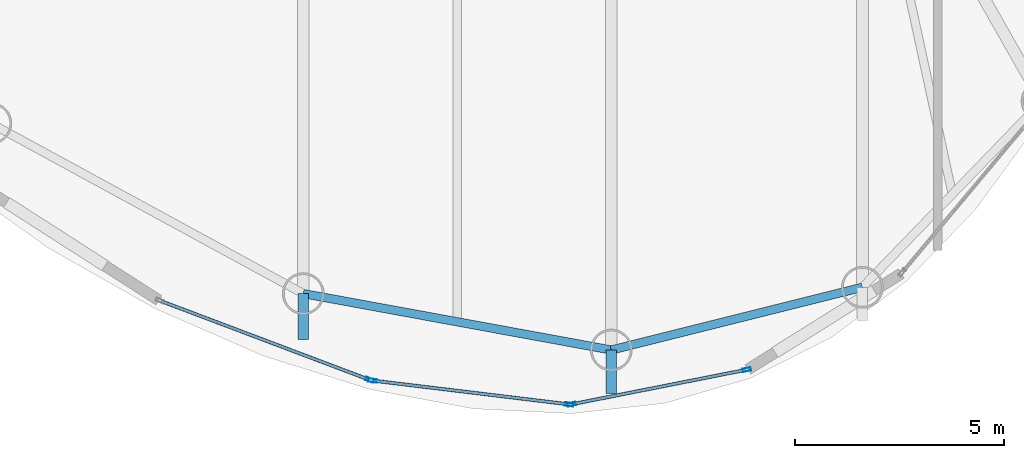
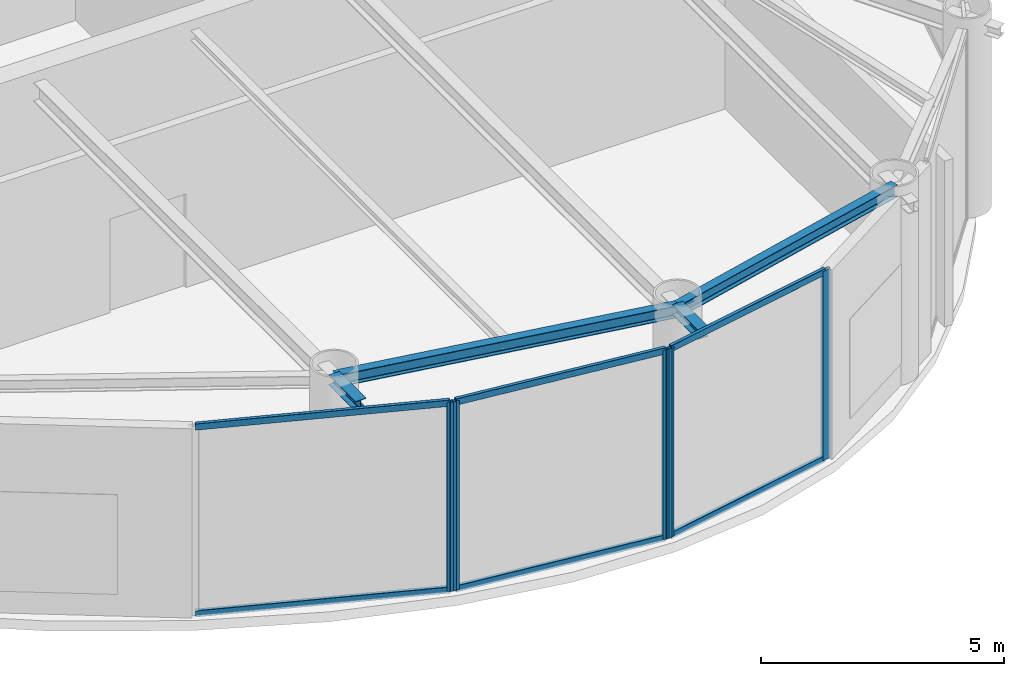
# One storey, part 5 of 23: 11 members, 4 beams, 3 elements without a shape of their own.
"""IFC4 building model written with IfcOpenShell, lengths in metres."""

from ifc_helpers import new_model, si_unit, direction, frame, origin, origin_2d, place, context, subcontext, project, spatial, hollow_rectangle, i_section, extrude, material, layer, layer_set, material_profile, profile_set, type_object, element, aggregate, save


model = new_model("IFC4")

# Units and contexts
model_context = context("Model", 3, precision=1e-05, world=origin(), true_north=direction((0.0, 1.0)))
body_context = subcontext(model_context, "Body", "Model", "MODEL_VIEW")
ifc_project = project(units=[si_unit("LENGTHUNIT", "METRE"), si_unit("AREAUNIT", "SQUARE_METRE"), si_unit("VOLUMEUNIT", "CUBIC_METRE"), si_unit("PLANEANGLEUNIT", "RADIAN"), si_unit("MASSUNIT", "GRAM", prefix="KILO")], contexts=[model_context])

# Site, building, storey
site_placement = place(None, origin())
site = spatial("IfcSite", under=ifc_project, at=site_placement, CompositionType="ELEMENT")
building_placement = place(site_placement, origin())
building = spatial("IfcBuilding", under=site, at=building_placement, Name="Bramvorn Convention Spire", CompositionType="ELEMENT")
storey_placement = place(building_placement, frame((0.0, 0.0, 307.5)))
storey = spatial("IfcBuildingStorey", under=building, at=storey_placement, Name="L78", CompositionType="ELEMENT", Elevation=307.5)

# Beams
ifc_material_1 = material(Name="Steel CSA G40.21 Grade 350 (350W)", Category="steel")
ifc_material_profile_1 = material_profile(ifc_material_1, i_section(OverallWidth=0.25390625, OverallDepth=0.2529296875, WebThickness=0.008544921875, FlangeThickness=0.01416015625, FilletRadius=0.011962890625, at=origin_2d()))
ifc_profile_set_1 = profile_set([ifc_material_profile_1], Name="Steel CSA G40.21 Grade 350 (350W) - W250X73")
beam_type_1 = type_object("IfcBeamType", Name="BM-W250X73", PredefinedType="BEAM", material=ifc_profile_set_1)
beam_1_placement = place(storey_placement, frame((35.8154296875, 6.44921875, 4.62353515625), z_axis=(0.0, -1.0, 0.0), x_axis=(1.0, 0.0, 0.0)))
element("IfcBeam", 1, at=beam_1_placement, inside=storey, type_object=beam_type_1, Name="L78 slab-edge cantilever tip beam MC15", PredefinedType="BEAM", context=body_context, shape_type="SweptSolid", body=[
    extrude(i_section(OverallWidth=0.25390625, OverallDepth=0.2529296875, WebThickness=0.008544921875, FlangeThickness=0.01416015625, FilletRadius=0.011962890625, at=origin_2d()), origin(), (0.0, 0.0, 1.0), 1.102294921875),
])
beam_2_placement = place(storey_placement, frame((43.1884765625, 5.09912109375, 4.62353515625), z_axis=(0.0, -1.0, 0.0), x_axis=(1.0, 0.0, 0.0)))
element("IfcBeam", 2, at=beam_2_placement, inside=storey, type_object=beam_type_1, Name="L78 slab-edge cantilever tip beam MC16", PredefinedType="BEAM", context=body_context, shape_type="SweptSolid", body=[
    extrude(i_section(OverallWidth=0.25390625, OverallDepth=0.2529296875, WebThickness=0.008544921875, FlangeThickness=0.01416015625, FilletRadius=0.011962890625, at=origin_2d()), origin(), (0.0, 0.0, 1.0), 1.04345703125),
])
ifc_material_profile_2 = material_profile(ifc_material_1, i_section(OverallWidth=0.202880859375, OverallDepth=0.302978515625, WebThickness=0.007568359375, FlangeThickness=0.01318359375, FilletRadius=0.013916015625, at=origin_2d()))
ifc_profile_set_2 = profile_set([ifc_material_profile_2], Name="Steel CSA G40.21 Grade 350 (350W) - W310X60")
beam_type_2 = type_object("IfcBeamType", Name="BM-W310X60", PredefinedType="JOIST", material=ifc_profile_set_2)
beam_3_placement = place(storey_placement, frame((35.8154296875, 6.44921875, 4.598388671875), z_axis=(0.983645049461, -0.180117785547, 0.0), x_axis=(0.180117785547, 0.983645049461, 0.0)))
element("IfcBeam", 3, at=beam_3_placement, inside=storey, type_object=beam_type_2, Name="L78 mega-column ring beam 15", PredefinedType="JOIST", context=body_context, shape_type="SweptSolid", body=[
    extrude(i_section(OverallWidth=0.202880859375, OverallDepth=0.302978515625, WebThickness=0.007568359375, FlangeThickness=0.01318359375, FilletRadius=0.013916015625, at=origin_2d()), origin(), (0.0, 0.0, 1.0), 7.49560546875),
])
beam_4_placement = place(storey_placement, frame((43.1884765625, 5.09912109375, 4.598388671875), z_axis=(0.970177255997, 0.24239655927, 0.0), x_axis=(-0.24239655927, 0.970177255997, 0.0)))
element("IfcBeam", 4, at=beam_4_placement, inside=storey, type_object=beam_type_2, Name="L78 mega-column ring beam 16", PredefinedType="JOIST", context=body_context, shape_type="SweptSolid", body=[
    extrude(i_section(OverallWidth=0.202880859375, OverallDepth=0.302978515625, WebThickness=0.007568359375, FlangeThickness=0.01318359375, FilletRadius=0.013916015625, at=origin_2d()), origin(), (0.0, 0.0, 1.0), 6.1962890625),
])

# Curtain wall, member
ifc_material_2 = material(Name="Anodised Bronze Unitised Curtain Wall", Category="aluminium")
ifc_layer = layer(ifc_material_2, 0.199951171875)
ifc_layer_set = layer_set([ifc_layer], Name="Anodised Bronze Unitised Curtain Wall - CW-PLANT-LOUVRE")
curtain_wall_type = type_object("IfcCurtainWallType", Name="CW-PLANT-LOUVRE", PredefinedType="USERDEFINED", material=ifc_layer_set)
curtain_wall_1_placement = place(storey_placement, origin())
curtain_wall_1 = element("IfcCurtainWall", 5, at=curtain_wall_1_placement, inside=storey, type_object=curtain_wall_type, Name="L78 fritted glass curtain wall 22", ObjectType="UNITISED CURTAIN WALL", PredefinedType="USERDEFINED")
ifc_material_3 = material(Name="Anodised Bronze Aluminium 6063-T6", Category="aluminium")
ifc_material_profile_3 = material_profile(ifc_material_3, hollow_rectangle(XDim=0.080078125, YDim=0.199951171875, WallThickness=0.00390625, InnerFilletRadius=0.0009765625, OuterFilletRadius=0.00390625, at=origin_2d()))
ifc_profile_set_3 = profile_set([ifc_material_profile_3], Name="Anodised Bronze Aluminium 6063-T6 - CWM80X200")
member_type_1 = type_object("IfcMemberType", Name="CW-MUL-180", PredefinedType="MULLION", material=ifc_profile_set_3)
member_1_placement = place(storey_placement, frame((37.40771484375, 4.3828125, 0.0), z_axis=(0.0, 0.0, 1.0), x_axis=(-0.353264772427, -0.935523383226, 0.0)))
member_1 = element("IfcMember", 6, at=member_1_placement, type_object=member_type_1, Name="CW5 mullion 1", PredefinedType="MULLION", context=body_context, shape_type="SweptSolid", body=[
    extrude(hollow_rectangle(XDim=0.080078125, YDim=0.199951171875, WallThickness=0.00390625, InnerFilletRadius=0.0009765625, OuterFilletRadius=0.00390625, at=origin_2d()), origin(), (0.0, 0.0, 1.0), 4.75),
])

# Curtain wall, members
curtain_wall_2_placement = place(storey_placement, origin())
curtain_wall_2 = element("IfcCurtainWall", 7, at=curtain_wall_2_placement, inside=storey, type_object=curtain_wall_type, Name="L78 fritted glass curtain wall 23", ObjectType="UNITISED CURTAIN WALL", PredefinedType="USERDEFINED")
member_2_placement = place(storey_placement, frame((42.181640625, 3.797607421875, 0.0), z_axis=(0.0, 0.0, 1.0), x_axis=(-0.120193547798, -0.992750477747, 0.0)))
member_2 = element("IfcMember", 8, at=member_2_placement, type_object=member_type_1, Name="CW5 mullion 1", PredefinedType="MULLION", context=body_context, shape_type="SweptSolid", body=[
    extrude(hollow_rectangle(XDim=0.080078125, YDim=0.199951171875, WallThickness=0.00390625, InnerFilletRadius=0.0009765625, OuterFilletRadius=0.00390625, at=origin_2d()), origin(), (0.0, 0.0, 1.0), 4.75),
])
member_3_placement = place(storey_placement, frame((37.465576171875, 4.36865234375, 0.0), z_axis=(0.0, 0.0, 1.0), x_axis=(-0.120193547798, -0.992750477747, 0.0)))
member_3 = element("IfcMember", 9, at=member_3_placement, type_object=member_type_1, Name="CW5 mullion 2", PredefinedType="MULLION", context=body_context, shape_type="SweptSolid", body=[
    extrude(hollow_rectangle(XDim=0.080078125, YDim=0.199951171875, WallThickness=0.00390625, InnerFilletRadius=0.0009765625, OuterFilletRadius=0.00390625, at=origin_2d()), origin(), (0.0, 0.0, 1.0), 4.75),
])

curtain_wall_3_placement = place(storey_placement, origin())
curtain_wall_3 = element("IfcCurtainWall", 10, at=curtain_wall_3_placement, inside=storey, type_object=curtain_wall_type, Name="L78 fritted glass curtain wall 24", ObjectType="UNITISED CURTAIN WALL", PredefinedType="USERDEFINED")
member_4_placement = place(storey_placement, frame((46.43017578125, 4.6279296875, 0.0), z_axis=(0.0, 0.0, 1.0), x_axis=(0.193912912149, -0.981018747273, 0.0)))
member_4 = element("IfcMember", 11, at=member_4_placement, type_object=member_type_1, Name="CW5 mullion 1", PredefinedType="MULLION", context=body_context, shape_type="SweptSolid", body=[
    extrude(hollow_rectangle(XDim=0.080078125, YDim=0.199951171875, WallThickness=0.00390625, InnerFilletRadius=0.0009765625, OuterFilletRadius=0.00390625, at=origin_2d()), origin(), (0.0, 0.0, 1.0), 4.75),
])
member_5_placement = place(storey_placement, frame((42.24072265625, 3.7998046875, 0.0), z_axis=(0.0, 0.0, 1.0), x_axis=(0.193912912149, -0.981018747273, 0.0)))
member_5 = element("IfcMember", 12, at=member_5_placement, type_object=member_type_1, Name="CW5 mullion 2", PredefinedType="MULLION", context=body_context, shape_type="SweptSolid", body=[
    extrude(hollow_rectangle(XDim=0.080078125, YDim=0.199951171875, WallThickness=0.00390625, InnerFilletRadius=0.0009765625, OuterFilletRadius=0.00390625, at=origin_2d()), origin(), (0.0, 0.0, 1.0), 4.75),
])

# Member
ifc_material_profile_4 = material_profile(ifc_material_3, hollow_rectangle(XDim=0.080078125, YDim=0.159912109375, WallThickness=0.00390625, InnerFilletRadius=0.0009765625, OuterFilletRadius=0.00390625, at=origin_2d()))
ifc_profile_set_4 = profile_set([ifc_material_profile_4], Name="Anodised Bronze Aluminium 6063-T6 - CWT80X160")
member_type_2 = type_object("IfcMemberType", Name="CW-TRN-150", PredefinedType="USERDEFINED", material=ifc_profile_set_4)
member_6_placement = place(storey_placement, frame((37.379638671875, 4.393310546875, 0.030029296875), z_axis=(-0.935527163071, 0.353254762397, 0.0), x_axis=(-0.353254762397, -0.935527163071, 0.0)))
member_6 = element("IfcMember", 13, at=member_6_placement, type_object=member_type_2, Name="CW5 transom 1.1", ObjectType="TRANSOM", PredefinedType="USERDEFINED", context=body_context, shape_type="SweptSolid", body=[
    extrude(hollow_rectangle(XDim=0.080078125, YDim=0.159912109375, WallThickness=0.00390625, InnerFilletRadius=0.0009765625, OuterFilletRadius=0.00390625, at=origin_2d()), origin(), (0.0, 0.0, 1.0), 5.307861328125),
])

member_7_placement = place(storey_placement, frame((37.379638671875, 4.393310546875, 4.719970703125), z_axis=(-0.935527163071, 0.353254762397, 0.0), x_axis=(-0.353254762397, -0.935527163071, 0.0)))
member_7 = element("IfcMember", 14, at=member_7_placement, type_object=member_type_2, Name="CW5 transom 1.2", ObjectType="TRANSOM", PredefinedType="USERDEFINED", context=body_context, shape_type="SweptSolid", body=[
    extrude(hollow_rectangle(XDim=0.080078125, YDim=0.159912109375, WallThickness=0.00390625, InnerFilletRadius=0.0009765625, OuterFilletRadius=0.00390625, at=origin_2d()), origin(), (0.0, 0.0, 1.0), 5.307861328125),
])

aggregate(curtain_wall_1, [member_1, member_6, member_7])

member_8_placement = place(storey_placement, frame((42.15185546875, 3.80126953125, 0.030029296875), z_axis=(-0.992751670634, 0.12018369462, 0.0), x_axis=(-0.12018369462, -0.992751670634, 0.0)))
member_8 = element("IfcMember", 15, at=member_8_placement, type_object=member_type_2, Name="CW5 transom 1.1", ObjectType="TRANSOM", PredefinedType="USERDEFINED", context=body_context, shape_type="SweptSolid", body=[
    extrude(hollow_rectangle(XDim=0.080078125, YDim=0.159912109375, WallThickness=0.00390625, InnerFilletRadius=0.0009765625, OuterFilletRadius=0.00390625, at=origin_2d()), origin(), (0.0, 0.0, 1.0), 4.6904296875),
])

member_9_placement = place(storey_placement, frame((42.15185546875, 3.80126953125, 4.719970703125), z_axis=(-0.992751670634, 0.12018369462, 0.0), x_axis=(-0.12018369462, -0.992751670634, 0.0)))
member_9 = element("IfcMember", 16, at=member_9_placement, type_object=member_type_2, Name="CW5 transom 1.2", ObjectType="TRANSOM", PredefinedType="USERDEFINED", context=body_context, shape_type="SweptSolid", body=[
    extrude(hollow_rectangle(XDim=0.080078125, YDim=0.159912109375, WallThickness=0.00390625, InnerFilletRadius=0.0009765625, OuterFilletRadius=0.00390625, at=origin_2d()), origin(), (0.0, 0.0, 1.0), 4.6904296875),
])

aggregate(curtain_wall_2, [member_2, member_3, member_8, member_9])

member_10_placement = place(storey_placement, frame((46.400634765625, 4.6220703125, 0.030029296875), z_axis=(-0.981019781257, -0.193907681081, 0.0), x_axis=(0.193907681081, -0.981019781257, 0.0)))
member_10 = element("IfcMember", 17, at=member_10_placement, type_object=member_type_2, Name="CW5 transom 1.1", ObjectType="TRANSOM", PredefinedType="USERDEFINED", context=body_context, shape_type="SweptSolid", body=[
    extrude(hollow_rectangle(XDim=0.080078125, YDim=0.159912109375, WallThickness=0.00390625, InnerFilletRadius=0.0009765625, OuterFilletRadius=0.00390625, at=origin_2d()), origin(), (0.0, 0.0, 1.0), 4.210205078125),
])

member_11_placement = place(storey_placement, frame((46.400634765625, 4.6220703125, 4.719970703125), z_axis=(-0.981019781257, -0.193907681081, 0.0), x_axis=(0.193907681081, -0.981019781257, 0.0)))
member_11 = element("IfcMember", 18, at=member_11_placement, type_object=member_type_2, Name="CW5 transom 1.2", ObjectType="TRANSOM", PredefinedType="USERDEFINED", context=body_context, shape_type="SweptSolid", body=[
    extrude(hollow_rectangle(XDim=0.080078125, YDim=0.159912109375, WallThickness=0.00390625, InnerFilletRadius=0.0009765625, OuterFilletRadius=0.00390625, at=origin_2d()), origin(), (0.0, 0.0, 1.0), 4.210205078125),
])

aggregate(curtain_wall_3, [member_4, member_5, member_10, member_11])

save(model, "model.ifc")
